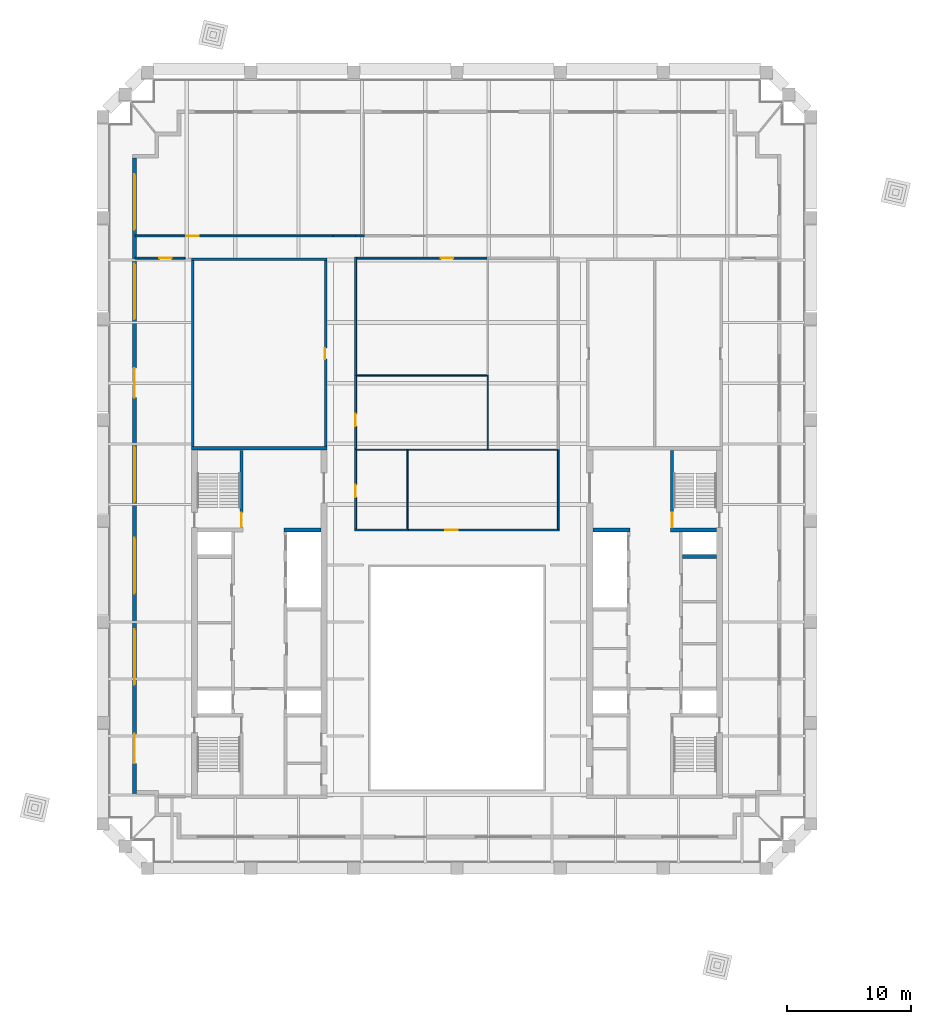
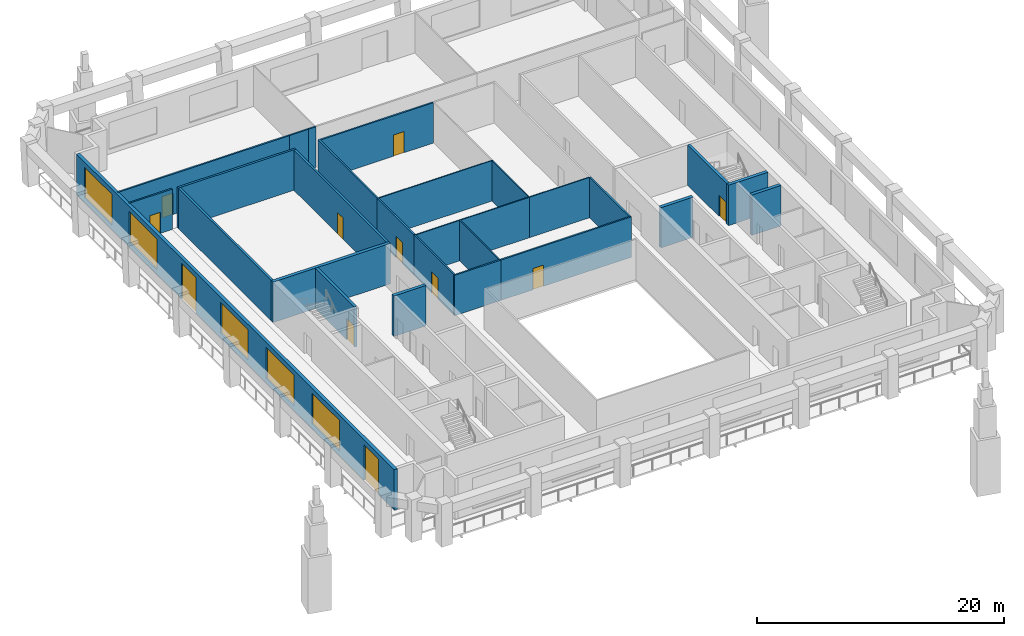
# One storey, part 5 of 8: 28 walls, 11 doors, 5 windows, 16 openings.
"""IFC4 building model written with IfcOpenShell, lengths in metres."""

from ifc_helpers import new_model, si_unit, direction, frame, frame_2d, origin, place, context, subcontext, project, spatial, rectangle, extrude, material, layer, layer_set, type_object, element, fill, save


model = new_model("IFC4")

# Units and contexts
model_context = context("Model", 3, precision=1e-05, world=origin(), true_north=direction((0.0, 1.0)))
body_context = subcontext(model_context, "Body", "Model", "MODEL_VIEW")
ifc_project = project(units=[si_unit("LENGTHUNIT", "METRE"), si_unit("AREAUNIT", "SQUARE_METRE"), si_unit("VOLUMEUNIT", "CUBIC_METRE"), si_unit("PLANEANGLEUNIT", "RADIAN"), si_unit("MASSUNIT", "GRAM", prefix="KILO")], contexts=[model_context])

# Site, building, storey
site_placement = place(None, origin())
site = spatial("IfcSite", under=ifc_project, at=site_placement, CompositionType="ELEMENT")
building_placement = place(site_placement, origin())
building = spatial("IfcBuilding", under=site, at=building_placement, Name="Ogive Exchange Tower", CompositionType="ELEMENT")
storey_placement = place(building_placement, frame((0.0, 0.0, 309.0)))
storey = spatial("IfcBuildingStorey", under=building, at=storey_placement, Name="L67", CompositionType="ELEMENT", Elevation=309.0)

# Wall, opening, door
ifc_material_1 = material(Name="Fire partition EI 60 150")
ifc_layer_1 = layer(ifc_material_1, 0.14990234375)
ifc_layer_set_1 = layer_set([ifc_layer_1], Name="Fire partition EI 60 150")
wall_type_1 = type_object("IfcWallType", Name="Fire partition EI 60 150", PredefinedType="PARTITIONING", material=ifc_layer_set_1)
wall_1_placement = place(storey_placement, frame((-26.050048828125, 42.800048828125, 0.0), z_axis=(0.0, 0.0, 1.0), x_axis=(1.0, 0.0, 0.0)))
wall_1 = element("IfcWall", 1, at=wall_1_placement, inside=storey, type_object=wall_type_1, Name="L67-PWL-001", PredefinedType="PARTITIONING", context=body_context, shape_type="SweptSolid", body=[
    extrude(rectangle(XDim=16.050048828125, YDim=0.14990234375, at=frame_2d((8.02490234375, 0.0))), origin(), (0.0, 0.0, 1.0), 4.0),
])
opening_1_placement = place(wall_1_placement, frame((4.14990234375, 0.0, 0.0)))
opening_1 = element("IfcOpeningElement", 2, at=opening_1_placement, cuts=wall_1, Name="Opening L67-I04", PredefinedType="OPENING", context=body_context, shape_type="SweptSolid", body=[
    extrude(rectangle(XDim=1.0, YDim=2.10009765625, at=frame_2d((0.5, 1.050048828125))), frame((0.0, 0.0849609375, 0.0), z_axis=(0.0, -1.0, 0.0), x_axis=(1.0, 0.0, 0.0)), (0.0, 0.0, 1.0), 0.169921875),
])
ifc_material_2 = material(Name="Fire door FD 30S 1000 x 2100")
door_type_1 = type_object("IfcDoorType", Name="Fire door FD 30S 1000 x 2100", OperationType="NOTDEFINED", PredefinedType="DOOR", material=ifc_material_2)
door_1_placement = place(opening_1_placement, origin())
door_1 = element("IfcDoor", 3, at=door_1_placement, inside=storey, type_object=door_type_1, Name="L67-IDR-004", ObjectType="DT3", OperationType="SINGLE_SWING_LEFT", OverallHeight=2.10009765625, OverallWidth=1.0, PredefinedType="DOOR", context=body_context, shape_type="SweptSolid", body=[
    extrude(rectangle(XDim=1.0, YDim=2.10009765625, at=frame_2d((0.5, 1.050048828125))), frame((0.0, 0.02490234375, 0.0), z_axis=(0.0, -1.0, 0.0), x_axis=(1.0, 0.0, 0.0)), (0.0, 0.0, 1.0), 0.050048828125),
])
fill(opening_1, door_1)

wall_2_placement = place(storey_placement, frame((-22.0, 41.0, 0.0), z_axis=(0.0, 0.0, 1.0), x_axis=(-1.0, 0.0, 0.0)))
wall_2 = element("IfcWall", 4, at=wall_2_placement, inside=storey, type_object=wall_type_1, Name="L67-PWL-003", PredefinedType="PARTITIONING", context=body_context, shape_type="SweptSolid", body=[
    extrude(rectangle(XDim=4.050048828125, YDim=0.14990234375, at=frame_2d((2.02490234375, 0.0))), origin(), (0.0, 0.0, 1.0), 4.0),
])
opening_2_placement = place(wall_2_placement, frame((1.10009765625, 0.0, 0.0)))
opening_2 = element("IfcOpeningElement", 5, at=opening_2_placement, cuts=wall_2, Name="Opening L67-I10", PredefinedType="OPENING", context=body_context, shape_type="SweptSolid", body=[
    extrude(rectangle(XDim=1.0, YDim=2.10009765625, at=frame_2d((0.5, 1.050048828125))), frame((0.0, 0.0849609375, 0.0), z_axis=(0.0, -1.0, 0.0), x_axis=(1.0, 0.0, 0.0)), (0.0, 0.0, 1.0), 0.169921875),
])
door_2_placement = place(opening_2_placement, origin())
door_2 = element("IfcDoor", 6, at=door_2_placement, inside=storey, type_object=door_type_1, Name="L67-IDR-010", ObjectType="DT3", OperationType="SINGLE_SWING_RIGHT", OverallHeight=2.10009765625, OverallWidth=1.0, PredefinedType="DOOR", context=body_context, shape_type="SweptSolid", body=[
    extrude(rectangle(XDim=1.0, YDim=2.10009765625, at=frame_2d((0.5, 1.050048828125))), frame((0.0, 0.02490234375, 0.0), z_axis=(0.0, -1.0, 0.0), x_axis=(1.0, 0.0, 0.0)), (0.0, 0.0, 1.0), 0.050048828125),
])
fill(opening_2, door_2)

# Walls
wall_3_placement = place(storey_placement, frame((-10.0, 42.800048828125, 0.0), z_axis=(0.0, 0.0, 1.0), x_axis=(1.0, 0.0, 0.0)))
element("IfcWall", 7, at=wall_3_placement, inside=storey, type_object=wall_type_1, Name="L67-PWL-004", PredefinedType="PARTITIONING", context=body_context, shape_type="SweptSolid", body=[
    extrude(rectangle(XDim=1.800048828125, YDim=0.14990234375, at=frame_2d((0.89990234375, 0.0))), origin(), (0.0, 0.0, 1.0), 4.0),
])
wall_4_placement = place(storey_placement, frame((-8.27490234375, 19.0, 0.0), z_axis=(0.0, 0.0, 1.0), x_axis=(1.0, 0.0, 0.0)))
element("IfcWall", 8, at=wall_4_placement, inside=storey, type_object=wall_type_1, Name="L67-PWL-005", PredefinedType="PARTITIONING", context=body_context, shape_type="SweptSolid", body=[
    extrude(rectangle(XDim=4.324951171875, YDim=0.14990234375, at=frame_2d((2.16259765625, 0.0))), origin(), (0.0, 0.0, 1.0), 4.0),
])

# Wall, opening, door
wall_5_placement = place(storey_placement, frame((-8.199951171875, 25.550048828125, 0.0), z_axis=(0.0, 0.0, 1.0), x_axis=(0.0, -1.0, 0.0)))
wall_5 = element("IfcWall", 9, at=wall_5_placement, inside=storey, type_object=wall_type_1, Name="L67-PWL-006", PredefinedType="PARTITIONING", context=body_context, shape_type="SweptSolid", body=[
    extrude(rectangle(XDim=6.47509765625, YDim=0.14990234375, at=frame_2d((3.237548828125, 0.0))), origin(), (0.0, 0.0, 1.0), 4.0),
])
opening_3_placement = place(wall_5_placement, frame((2.89990234375, 0.0, 0.0)))
opening_3 = element("IfcOpeningElement", 10, at=opening_3_placement, cuts=wall_5, Name="Opening L67-I09", PredefinedType="OPENING", context=body_context, shape_type="SweptSolid", body=[
    extrude(rectangle(XDim=1.0, YDim=2.10009765625, at=frame_2d((0.5, 1.050048828125))), frame((0.0, 0.0849609375, 0.0), z_axis=(0.0, -1.0, 0.0), x_axis=(1.0, 0.0, 0.0)), (0.0, 0.0, 1.0), 0.169921875),
])
door_3_placement = place(opening_3_placement, origin())
door_3 = element("IfcDoor", 11, at=door_3_placement, inside=storey, type_object=door_type_1, Name="L67-IDR-009", ObjectType="DT3", OperationType="SINGLE_SWING_RIGHT", OverallHeight=2.10009765625, OverallWidth=1.0, PredefinedType="DOOR", context=body_context, shape_type="SweptSolid", body=[
    extrude(rectangle(XDim=1.0, YDim=2.10009765625, at=frame_2d((0.5, 1.050048828125))), frame((0.0, 0.02490234375, 0.0), z_axis=(0.0, -1.0, 0.0), x_axis=(1.0, 0.0, 0.0)), (0.0, 0.0, 1.0), 0.050048828125),
])
fill(opening_3, door_3)

wall_6_placement = place(storey_placement, frame((-8.199951171875, 31.5, 0.0), z_axis=(0.0, 0.0, 1.0), x_axis=(0.0, -1.0, 0.0)))
wall_6 = element("IfcWall", 12, at=wall_6_placement, inside=storey, type_object=wall_type_1, Name="L67-PWL-007", PredefinedType="PARTITIONING", context=body_context, shape_type="SweptSolid", body=[
    extrude(rectangle(XDim=5.949951171875, YDim=0.14990234375, at=frame_2d((2.97509765625, 0.0))), origin(), (0.0, 0.0, 1.0), 4.0),
])
opening_4_placement = place(wall_6_placement, frame((3.10009765625, 0.0, 0.0)))
opening_4 = element("IfcOpeningElement", 13, at=opening_4_placement, cuts=wall_6, Name="Opening L67-I06", PredefinedType="OPENING", context=body_context, shape_type="SweptSolid", body=[
    extrude(rectangle(XDim=1.0, YDim=2.10009765625, at=frame_2d((0.5, 1.050048828125))), frame((0.0, 0.0849609375, 0.0), z_axis=(0.0, -1.0, 0.0), x_axis=(1.0, 0.0, 0.0)), (0.0, 0.0, 1.0), 0.169921875),
])
door_4_placement = place(opening_4_placement, origin())
door_4 = element("IfcDoor", 14, at=door_4_placement, inside=storey, type_object=door_type_1, Name="L67-IDR-006", ObjectType="DT3", OperationType="SINGLE_SWING_LEFT", OverallHeight=2.10009765625, OverallWidth=1.0, PredefinedType="DOOR", context=body_context, shape_type="SweptSolid", body=[
    extrude(rectangle(XDim=1.0, YDim=2.10009765625, at=frame_2d((0.5, 1.050048828125))), frame((0.0, 0.02490234375, 0.0), z_axis=(0.0, -1.0, 0.0), x_axis=(1.0, 0.0, 0.0)), (0.0, 0.0, 1.0), 0.050048828125),
])
fill(opening_4, door_4)

# Walls
wall_7_placement = place(storey_placement, frame((-8.199951171875, 41.074951171875, 0.0), z_axis=(0.0, 0.0, 1.0), x_axis=(0.0, -1.0, 0.0)))
element("IfcWall", 15, at=wall_7_placement, inside=storey, type_object=wall_type_1, Name="L67-PWL-009", PredefinedType="PARTITIONING", context=body_context, shape_type="SweptSolid", body=[
    extrude(rectangle(XDim=9.574951171875, YDim=0.14990234375, at=frame_2d((4.78759765625, 0.0))), origin(), (0.0, 0.0, 1.0), 4.0),
])
wall_8_placement = place(storey_placement, frame((-8.199951171875, 42.800048828125, 0.0), z_axis=(0.0, 0.0, 1.0), x_axis=(1.0, 0.0, 0.0)))
element("IfcWall", 16, at=wall_8_placement, inside=storey, type_object=wall_type_1, Name="L67-PWL-010", PredefinedType="PARTITIONING", context=body_context, shape_type="SweptSolid", body=[
    extrude(rectangle(XDim=0.699951171875, YDim=0.14990234375, at=frame_2d((0.35009765625, 0.0))), origin(), (0.0, 0.0, 1.0), 4.0),
])

# Wall, opening, door
wall_9_placement = place(storey_placement, frame((-4.0, 19.0, 0.0), z_axis=(0.0, 0.0, 1.0), x_axis=(1.0, 0.0, 0.0)))
wall_9 = element("IfcWall", 17, at=wall_9_placement, inside=storey, type_object=wall_type_1, Name="L67-PWL-014", PredefinedType="PARTITIONING", context=body_context, shape_type="SweptSolid", body=[
    extrude(rectangle(XDim=12.27490234375, YDim=0.14990234375, at=frame_2d((6.137451171875, 0.0))), origin(), (0.0, 0.0, 1.0), 4.0),
])
opening_5_placement = place(wall_9_placement, frame((3.050048828125, 0.0, 0.0)))
opening_5 = element("IfcOpeningElement", 18, at=opening_5_placement, cuts=wall_9, Name="Opening L67-I08", PredefinedType="OPENING", context=body_context, shape_type="SweptSolid", body=[
    extrude(rectangle(XDim=1.0, YDim=2.10009765625, at=frame_2d((0.5, 1.050048828125))), frame((0.0, 0.0849609375, 0.0), z_axis=(0.0, -1.0, 0.0), x_axis=(1.0, 0.0, 0.0)), (0.0, 0.0, 1.0), 0.169921875),
])
door_5_placement = place(opening_5_placement, origin())
door_5 = element("IfcDoor", 19, at=door_5_placement, inside=storey, type_object=door_type_1, Name="L67-IDR-008", ObjectType="DT3", OperationType="SINGLE_SWING_RIGHT", OverallHeight=2.10009765625, OverallWidth=1.0, PredefinedType="DOOR", context=body_context, shape_type="SweptSolid", body=[
    extrude(rectangle(XDim=1.0, YDim=2.10009765625, at=frame_2d((0.5, 1.050048828125))), frame((0.0, 0.02490234375, 0.0), z_axis=(0.0, -1.0, 0.0), x_axis=(1.0, 0.0, 0.0)), (0.0, 0.0, 1.0), 0.050048828125),
])
fill(opening_5, door_5)

wall_10_placement = place(storey_placement, frame((2.449951171875, 41.0, 0.0), z_axis=(0.0, 0.0, 1.0), x_axis=(-1.0, 0.0, 0.0)))
wall_10 = element("IfcWall", 20, at=wall_10_placement, inside=storey, type_object=wall_type_1, Name="L67-PWL-019", PredefinedType="PARTITIONING", context=body_context, shape_type="SweptSolid", body=[
    extrude(rectangle(XDim=10.574951171875, YDim=0.14990234375, at=frame_2d((5.28759765625, 0.0))), origin(), (0.0, 0.0, 1.0), 4.0),
])
opening_6_placement = place(wall_10_placement, frame((2.75, 0.0, 0.0)))
opening_6 = element("IfcOpeningElement", 21, at=opening_6_placement, cuts=wall_10, Name="Opening L67-I07", PredefinedType="OPENING", context=body_context, shape_type="SweptSolid", body=[
    extrude(rectangle(XDim=1.0, YDim=2.10009765625, at=frame_2d((0.5, 1.050048828125))), frame((0.0, 0.0849609375, 0.0), z_axis=(0.0, -1.0, 0.0), x_axis=(1.0, 0.0, 0.0)), (0.0, 0.0, 1.0), 0.169921875),
])
door_6_placement = place(opening_6_placement, origin())
door_6 = element("IfcDoor", 22, at=door_6_placement, inside=storey, type_object=door_type_1, Name="L67-IDR-007", ObjectType="DT3", OperationType="SINGLE_SWING_RIGHT", OverallHeight=2.10009765625, OverallWidth=1.0, PredefinedType="DOOR", context=body_context, shape_type="SweptSolid", body=[
    extrude(rectangle(XDim=1.0, YDim=2.10009765625, at=frame_2d((0.5, 1.050048828125))), frame((0.0, 0.02490234375, 0.0), z_axis=(0.0, -1.0, 0.0), x_axis=(1.0, 0.0, 0.0)), (0.0, 0.0, 1.0), 0.050048828125),
])
fill(opening_6, door_6)

# Wall
wall_11_placement = place(storey_placement, frame((8.199951171875, 19.074951171875, 0.0), z_axis=(0.0, 0.0, 1.0), x_axis=(0.0, 1.0, 0.0)))
element("IfcWall", 23, at=wall_11_placement, inside=storey, type_object=wall_type_1, Name="L67-PWL-022", PredefinedType="PARTITIONING", context=body_context, shape_type="SweptSolid", body=[
    extrude(rectangle(XDim=6.425048828125, YDim=0.14990234375, at=frame_2d((3.21240234375, 0.0))), origin(), (0.0, 0.0, 1.0), 4.0),
])

# Wall, openings, doors, windows
ifc_material_3 = material(Name="Precast concrete C40/50", Category="concrete")
ifc_layer_2 = layer(ifc_material_3, 0.300048828125)
ifc_layer_set_2 = layer_set([ifc_layer_2], Name="Limestone-faced wall 300")
wall_type_2 = type_object("IfcWallType", Name="Limestone-faced wall 300", PredefinedType="STANDARD", material=ifc_layer_set_2)
wall_12_placement = place(storey_placement, frame((-26.10009765625, 49.10009765625, 0.0), z_axis=(0.0, 0.0, 1.0), x_axis=(0.0, -1.0, 0.0)))
wall_12 = element("IfcWall", 24, at=wall_12_placement, inside=storey, type_object=wall_type_2, Name="External wall W4", PredefinedType="STANDARD", context=body_context, shape_type="SweptSolid", body=[
    extrude(rectangle(XDim=51.5, YDim=0.300048828125, at=frame_2d((25.75, 0.0))), origin(), (0.0, 0.0, 1.0), 4.0),
])
opening_7_placement = place(wall_12_placement, frame((1.300048828125, 0.0, 0.449951171875)))
opening_7 = element("IfcOpeningElement", 25, at=opening_7_placement, cuts=wall_12, Name="Opening W1", PredefinedType="OPENING", context=body_context, shape_type="SweptSolid", body=[
    extrude(rectangle(XDim=4.5, YDim=3.050048828125, at=frame_2d((2.25, 1.52490234375))), frame((0.0, 0.159912109375, 0.0), z_axis=(0.0, -1.0, 0.0), x_axis=(1.0, 0.0, 0.0)), (0.0, 0.0, 1.0), 0.320068359375),
])
opening_8_placement = place(wall_12_placement, frame((8.550048828125, 0.0, 0.449951171875)))
opening_8 = element("IfcOpeningElement", 26, at=opening_8_placement, cuts=wall_12, Name="Opening W1", PredefinedType="OPENING", context=body_context, shape_type="SweptSolid", body=[
    extrude(rectangle(XDim=4.5, YDim=3.050048828125, at=frame_2d((2.25, 1.52490234375))), frame((0.0, 0.159912109375, 0.0), z_axis=(0.0, -1.0, 0.0), x_axis=(1.0, 0.0, 0.0)), (0.0, 0.0, 1.0), 0.320068359375),
])
opening_9_placement = place(wall_12_placement, frame((17.0, 0.0, 0.0)))
opening_9 = element("IfcOpeningElement", 27, at=opening_9_placement, cuts=wall_12, Name="Opening D1", PredefinedType="OPENING", context=body_context, shape_type="SweptSolid", body=[
    extrude(rectangle(XDim=2.39990234375, YDim=3.5, at=frame_2d((1.199951171875, 1.75))), frame((0.0, 0.159912109375, 0.0), z_axis=(0.0, -1.0, 0.0), x_axis=(1.0, 0.0, 0.0)), (0.0, 0.0, 1.0), 0.320068359375),
])
opening_10_placement = place(wall_12_placement, frame((23.35009765625, 0.0, 0.449951171875)))
opening_10 = element("IfcOpeningElement", 28, at=opening_10_placement, cuts=wall_12, Name="Opening W1", PredefinedType="OPENING", context=body_context, shape_type="SweptSolid", body=[
    extrude(rectangle(XDim=4.5, YDim=3.050048828125, at=frame_2d((2.25, 1.52490234375))), frame((0.0, 0.159912109375, 0.0), z_axis=(0.0, -1.0, 0.0), x_axis=(1.0, 0.0, 0.0)), (0.0, 0.0, 1.0), 0.320068359375),
])
opening_11_placement = place(wall_12_placement, frame((30.75, 0.0, 0.449951171875)))
opening_11 = element("IfcOpeningElement", 29, at=opening_11_placement, cuts=wall_12, Name="Opening W1", PredefinedType="OPENING", context=body_context, shape_type="SweptSolid", body=[
    extrude(rectangle(XDim=4.5, YDim=3.050048828125, at=frame_2d((2.25, 1.52490234375))), frame((0.0, 0.159912109375, 0.0), z_axis=(0.0, -1.0, 0.0), x_axis=(1.0, 0.0, 0.0)), (0.0, 0.0, 1.0), 0.320068359375),
])
opening_12_placement = place(wall_12_placement, frame((38.14990234375, 0.0, 0.449951171875)))
opening_12 = element("IfcOpeningElement", 30, at=opening_12_placement, cuts=wall_12, Name="Opening W1", PredefinedType="OPENING", context=body_context, shape_type="SweptSolid", body=[
    extrude(rectangle(XDim=4.5, YDim=3.050048828125, at=frame_2d((2.25, 1.52490234375))), frame((0.0, 0.159912109375, 0.0), z_axis=(0.0, -1.0, 0.0), x_axis=(1.0, 0.0, 0.0)), (0.0, 0.0, 1.0), 0.320068359375),
])
opening_13_placement = place(wall_12_placement, frame((46.60009765625, 0.0, 0.0)))
opening_13 = element("IfcOpeningElement", 31, at=opening_13_placement, cuts=wall_12, Name="Opening D1", PredefinedType="OPENING", context=body_context, shape_type="SweptSolid", body=[
    extrude(rectangle(XDim=2.39990234375, YDim=3.5, at=frame_2d((1.199951171875, 1.75))), frame((0.0, 0.159912109375, 0.0), z_axis=(0.0, -1.0, 0.0), x_axis=(1.0, 0.0, 0.0)), (0.0, 0.0, 1.0), 0.320068359375),
])
ifc_material_4 = material(Name="Clear glass in bronze frame", Category="glass")
door_type_2 = type_object("IfcDoorType", Name="Sliding loggia door 2400 x 3500", OperationType="DOUBLE_DOOR_SLIDING", PredefinedType="DOOR", material=ifc_material_4)
door_7_placement = place(opening_9_placement, origin())
door_7 = element("IfcDoor", 32, at=door_7_placement, inside=storey, type_object=door_type_2, Name="Loggia door W02", OperationType="DOUBLE_DOOR_SLIDING", OverallHeight=3.5, OverallWidth=2.39990234375, PredefinedType="DOOR", context=body_context, shape_type="SweptSolid", body=[
    extrude(rectangle(XDim=2.39990234375, YDim=3.5, at=frame_2d((1.199951171875, 1.75))), frame((0.0, 0.02490234375, 0.0), z_axis=(0.0, -1.0, 0.0), x_axis=(1.0, 0.0, 0.0)), (0.0, 0.0, 1.0), 0.050048828125),
])
fill(opening_9, door_7)
door_8_placement = place(opening_13_placement, origin())
door_8 = element("IfcDoor", 33, at=door_8_placement, inside=storey, type_object=door_type_2, Name="Loggia door W06", OperationType="DOUBLE_DOOR_SLIDING", OverallHeight=3.5, OverallWidth=2.39990234375, PredefinedType="DOOR", context=body_context, shape_type="SweptSolid", body=[
    extrude(rectangle(XDim=2.39990234375, YDim=3.5, at=frame_2d((1.199951171875, 1.75))), frame((0.0, 0.02490234375, 0.0), z_axis=(0.0, -1.0, 0.0), x_axis=(1.0, 0.0, 0.0)), (0.0, 0.0, 1.0), 0.050048828125),
])
fill(opening_13, door_8)
window_type = type_object("IfcWindowType", Name="Twin lancet window 4500 x 3050", PartitioningType="DOUBLE_PANEL_VERTICAL", PredefinedType="WINDOW", material=ifc_material_4)
window_1_placement = place(opening_7_placement, origin())
window_1 = element("IfcWindow", 34, at=window_1_placement, inside=storey, type_object=window_type, Name="Window W00", OverallHeight=3.050048828125, OverallWidth=4.5, PartitioningType="DOUBLE_PANEL_VERTICAL", PredefinedType="WINDOW", context=body_context, shape_type="SweptSolid", body=[
    extrude(rectangle(XDim=4.5, YDim=3.050048828125, at=frame_2d((2.25, 1.52490234375))), frame((0.0, 0.030029296875, 0.0), z_axis=(0.0, -1.0, 0.0), x_axis=(1.0, 0.0, 0.0)), (0.0, 0.0, 1.0), 0.06005859375),
])
fill(opening_7, window_1)
window_2_placement = place(opening_8_placement, origin())
window_2 = element("IfcWindow", 35, at=window_2_placement, inside=storey, type_object=window_type, Name="Window W01", OverallHeight=3.050048828125, OverallWidth=4.5, PartitioningType="DOUBLE_PANEL_VERTICAL", PredefinedType="WINDOW", context=body_context, shape_type="SweptSolid", body=[
    extrude(rectangle(XDim=4.5, YDim=3.050048828125, at=frame_2d((2.25, 1.52490234375))), frame((0.0, 0.030029296875, 0.0), z_axis=(0.0, -1.0, 0.0), x_axis=(1.0, 0.0, 0.0)), (0.0, 0.0, 1.0), 0.06005859375),
])
fill(opening_8, window_2)
window_3_placement = place(opening_10_placement, origin())
window_3 = element("IfcWindow", 36, at=window_3_placement, inside=storey, type_object=window_type, Name="Window W03", OverallHeight=3.050048828125, OverallWidth=4.5, PartitioningType="DOUBLE_PANEL_VERTICAL", PredefinedType="WINDOW", context=body_context, shape_type="SweptSolid", body=[
    extrude(rectangle(XDim=4.5, YDim=3.050048828125, at=frame_2d((2.25, 1.52490234375))), frame((0.0, 0.030029296875, 0.0), z_axis=(0.0, -1.0, 0.0), x_axis=(1.0, 0.0, 0.0)), (0.0, 0.0, 1.0), 0.06005859375),
])
fill(opening_10, window_3)
window_4_placement = place(opening_11_placement, origin())
window_4 = element("IfcWindow", 37, at=window_4_placement, inside=storey, type_object=window_type, Name="Window W04", OverallHeight=3.050048828125, OverallWidth=4.5, PartitioningType="DOUBLE_PANEL_VERTICAL", PredefinedType="WINDOW", context=body_context, shape_type="SweptSolid", body=[
    extrude(rectangle(XDim=4.5, YDim=3.050048828125, at=frame_2d((2.25, 1.52490234375))), frame((0.0, 0.030029296875, 0.0), z_axis=(0.0, -1.0, 0.0), x_axis=(1.0, 0.0, 0.0)), (0.0, 0.0, 1.0), 0.06005859375),
])
fill(opening_11, window_4)
window_5_placement = place(opening_12_placement, origin())
window_5 = element("IfcWindow", 38, at=window_5_placement, inside=storey, type_object=window_type, Name="Window W05", OverallHeight=3.050048828125, OverallWidth=4.5, PartitioningType="DOUBLE_PANEL_VERTICAL", PredefinedType="WINDOW", context=body_context, shape_type="SweptSolid", body=[
    extrude(rectangle(XDim=4.5, YDim=3.050048828125, at=frame_2d((2.25, 1.52490234375))), frame((0.0, 0.030029296875, 0.0), z_axis=(0.0, -1.0, 0.0), x_axis=(1.0, 0.0, 0.0)), (0.0, 0.0, 1.0), 0.06005859375),
])
fill(opening_12, window_5)

# Walls
ifc_material_5 = material(Name="Partition 100 gypsum")
ifc_layer_3 = layer(ifc_material_5, 0.10009765625)
ifc_layer_set_3 = layer_set([ifc_layer_3], Name="Partition 100 gypsum")
wall_type_3 = type_object("IfcWallType", Name="Partition 100 gypsum", PredefinedType="PARTITIONING", material=ifc_layer_set_3)
wall_13_placement = place(storey_placement, frame((-8.125, 31.5, 0.0), z_axis=(0.0, 0.0, 1.0), x_axis=(1.0, 0.0, 0.0)))
element("IfcWall", 39, at=wall_13_placement, inside=storey, type_object=wall_type_3, Name="L67-PWL-008", PredefinedType="PARTITIONING", context=body_context, shape_type="SweptSolid", body=[
    extrude(rectangle(XDim=10.675048828125, YDim=0.10009765625, at=frame_2d((5.33740234375, 0.0))), origin(), (0.0, 0.0, 1.0), 4.0),
])
wall_14_placement = place(storey_placement, frame((-4.0, 19.074951171875, 0.0), z_axis=(0.0, 0.0, 1.0), x_axis=(0.0, 1.0, 0.0)))
element("IfcWall", 40, at=wall_14_placement, inside=storey, type_object=wall_type_3, Name="L67-PWL-013", PredefinedType="PARTITIONING", context=body_context, shape_type="SweptSolid", body=[
    extrude(rectangle(XDim=6.47509765625, YDim=0.10009765625, at=frame_2d((3.237548828125, 0.0))), origin(), (0.0, 0.0, 1.0), 4.0),
])
wall_15_placement = place(storey_placement, frame((-4.050048828125, 25.5, 0.0), z_axis=(0.0, 0.0, 1.0), x_axis=(-1.0, 0.0, 0.0)))
element("IfcWall", 41, at=wall_15_placement, inside=storey, type_object=wall_type_3, Name="L67-PWL-015", PredefinedType="PARTITIONING", context=body_context, shape_type="SweptSolid", body=[
    extrude(rectangle(XDim=4.074951171875, YDim=0.10009765625, at=frame_2d((2.03759765625, 0.0))), origin(), (0.0, 0.0, 1.0), 4.0),
])
wall_16_placement = place(storey_placement, frame((2.550048828125, 25.5, 0.0), z_axis=(0.0, 0.0, 1.0), x_axis=(-1.0, 0.0, 0.0)))
element("IfcWall", 42, at=wall_16_placement, inside=storey, type_object=wall_type_3, Name="L67-PWL-016", PredefinedType="PARTITIONING", context=body_context, shape_type="SweptSolid", body=[
    extrude(rectangle(XDim=6.5, YDim=0.10009765625, at=frame_2d((3.25, 0.0))), origin(), (0.0, 0.0, 1.0), 4.0),
])
wall_17_placement = place(storey_placement, frame((2.5, 25.550048828125, 0.0), z_axis=(0.0, 0.0, 1.0), x_axis=(0.0, 1.0, 0.0)))
element("IfcWall", 43, at=wall_17_placement, inside=storey, type_object=wall_type_3, Name="L67-PWL-017", PredefinedType="PARTITIONING", context=body_context, shape_type="SweptSolid", body=[
    extrude(rectangle(XDim=5.89990234375, YDim=0.10009765625, at=frame_2d((2.949951171875, 0.0))), origin(), (0.0, 0.0, 1.0), 4.0),
])
wall_18_placement = place(storey_placement, frame((8.125, 25.5, 0.0), z_axis=(0.0, 0.0, 1.0), x_axis=(-1.0, 0.0, 0.0)))
element("IfcWall", 44, at=wall_18_placement, inside=storey, type_object=wall_type_3, Name="L67-PWL-023", PredefinedType="PARTITIONING", context=body_context, shape_type="SweptSolid", body=[
    extrude(rectangle(XDim=5.625, YDim=0.10009765625, at=frame_2d((2.8125, 0.0))), origin(), (0.0, 0.0, 1.0), 4.0),
])
ifc_material_6 = material(Name="Concrete C70/85", Category="concrete")
ifc_layer_4 = layer(ifc_material_6, 0.199951171875)
ifc_layer_set_4 = layer_set([ifc_layer_4], Name="RC core wall 200 C70/85")
wall_type_4 = type_object("IfcWallType", Name="RC core wall 200 C70/85", PredefinedType="SHEAR", material=ifc_layer_set_4)
wall_19_placement = place(storey_placement, frame((-21.39990234375, 25.75, 0.0), z_axis=(0.0, 0.0, 1.0), x_axis=(0.0, 1.0, 0.0)))
element("IfcWall", 45, at=wall_19_placement, inside=storey, type_object=wall_type_4, Name="W annex N outer wall", PredefinedType="SHEAR", context=body_context, shape_type="SweptSolid", body=[
    extrude(rectangle(XDim=15.050048828125, YDim=0.199951171875, at=frame_2d((7.52490234375, 0.0))), origin(), (0.0, 0.0, 1.0), 4.0),
])

# Wall, opening, door
wall_20_placement = place(storey_placement, frame((-10.60009765625, 25.75, 0.0), z_axis=(0.0, 0.0, 1.0), x_axis=(0.0, 1.0, 0.0)))
wall_20 = element("IfcWall", 46, at=wall_20_placement, inside=storey, type_object=wall_type_4, Name="W annex N inner wall", PredefinedType="SHEAR", context=body_context, shape_type="SweptSolid", body=[
    extrude(rectangle(XDim=15.050048828125, YDim=0.199951171875, at=frame_2d((7.52490234375, 0.0))), origin(), (0.0, 0.0, 1.0), 4.0),
])
opening_14_placement = place(wall_20_placement, frame((7.074951171875, 0.0, 0.0)))
opening_14 = element("IfcOpeningElement", 47, at=opening_14_placement, cuts=wall_20, Name="Opening L67-C17", PredefinedType="OPENING", context=body_context, shape_type="SweptSolid", body=[
    extrude(rectangle(XDim=0.89990234375, YDim=2.10009765625, at=frame_2d((0.449951171875, 1.050048828125))), frame((0.0, 0.10986328125, 0.0), z_axis=(0.0, -1.0, 0.0), x_axis=(1.0, 0.0, 0.0)), (0.0, 0.0, 1.0), 0.219970703125),
])
ifc_material_7 = material(Name="Steel fire door", Category="steel")
door_type_3 = type_object("IfcDoorType", Name="Riser door FD60 900 x 2100", OperationType="NOTDEFINED", PredefinedType="DOOR", material=ifc_material_7)
door_9_placement = place(opening_14_placement, frame((0.89990234375, 0.14990234375, 0.0), z_axis=(0.0, 0.0, 1.0), x_axis=(-1.0, 0.0, 0.0)))
door_9 = element("IfcDoor", 48, at=door_9_placement, inside=storey, type_object=door_type_3, Name="Riser door", ObjectType="CD2", OperationType="SINGLE_SWING_LEFT", OverallHeight=2.10009765625, OverallWidth=0.89990234375, PredefinedType="DOOR", context=body_context, shape_type="SweptSolid", body=[
    extrude(rectangle(XDim=0.89990234375, YDim=2.10009765625, at=frame_2d((0.449951171875, 1.050048828125))), frame((0.0, 0.10009765625, 0.0), z_axis=(0.0, -1.0, 0.0), x_axis=(1.0, 0.0, 0.0)), (0.0, 0.0, 1.0), 0.050048828125),
])
fill(opening_14, door_9)

# Wall
wall_21_placement = place(storey_placement, frame((-21.5, 40.89990234375, 0.0), z_axis=(0.0, 0.0, 1.0), x_axis=(1.0, 0.0, 0.0)))
element("IfcWall", 49, at=wall_21_placement, inside=storey, type_object=wall_type_4, Name="W annex N end wall", PredefinedType="SHEAR", context=body_context, shape_type="SweptSolid", body=[
    extrude(rectangle(XDim=11.0, YDim=0.199951171875, at=frame_2d((5.5, 0.0))), origin(), (0.0, 0.0, 1.0), 4.0),
])

# Wall, opening, door
ifc_layer_5 = layer(ifc_material_6, 0.25)
ifc_layer_set_5 = layer_set([ifc_layer_5], Name="RC core wall 250 C70/85")
wall_type_5 = type_object("IfcWallType", Name="RC core wall 250 C70/85", PredefinedType="SHEAR", material=ifc_layer_set_5)
wall_22_placement = place(storey_placement, frame((-17.425048828125, 19.14990234375, 0.0), z_axis=(0.0, 0.0, 1.0), x_axis=(0.0, 1.0, 0.0)))
wall_22 = element("IfcWall", 50, at=wall_22_placement, inside=storey, type_object=wall_type_5, Name="W stair N front wall", PredefinedType="SHEAR", context=body_context, shape_type="SweptSolid", body=[
    extrude(rectangle(XDim=6.300048828125, YDim=0.25, at=frame_2d((3.14990234375, 0.0))), origin(), (0.0, 0.0, 1.0), 4.0),
])
opening_15_placement = place(wall_22_placement, frame((0.050048828125, 0.0, 0.0)))
opening_15 = element("IfcOpeningElement", 51, at=opening_15_placement, cuts=wall_22, Name="Opening L67-C13", PredefinedType="OPENING", context=body_context, shape_type="SweptSolid", body=[
    extrude(rectangle(XDim=1.199951171875, YDim=2.10009765625, at=frame_2d((0.60009765625, 1.050048828125))), frame((0.0, 0.135009765625, 0.0), z_axis=(0.0, -1.0, 0.0), x_axis=(1.0, 0.0, 0.0)), (0.0, 0.0, 1.0), 0.27001953125),
])
door_type_4 = type_object("IfcDoorType", Name="Stair door FD90 1200 x 2100", OperationType="NOTDEFINED", PredefinedType="DOOR", material=ifc_material_7)
door_10_placement = place(opening_15_placement, origin())
door_10 = element("IfcDoor", 52, at=door_10_placement, inside=storey, type_object=door_type_4, Name="Stair door", ObjectType="CD5", OperationType="SINGLE_SWING_RIGHT", OverallHeight=2.10009765625, OverallWidth=1.199951171875, PredefinedType="DOOR", context=body_context, shape_type="SweptSolid", body=[
    extrude(rectangle(XDim=1.199951171875, YDim=2.10009765625, at=frame_2d((0.60009765625, 1.050048828125))), frame((0.0, 0.02490234375, 0.0), z_axis=(0.0, -1.0, 0.0), x_axis=(1.0, 0.0, 0.0)), (0.0, 0.0, 1.0), 0.050048828125),
])
fill(opening_15, door_10)

wall_23_placement = place(storey_placement, frame((17.425048828125, 19.14990234375, 0.0), z_axis=(0.0, 0.0, 1.0), x_axis=(0.0, 1.0, 0.0)))
wall_23 = element("IfcWall", 53, at=wall_23_placement, inside=storey, type_object=wall_type_5, Name="E stair N front wall", PredefinedType="SHEAR", context=body_context, shape_type="SweptSolid", body=[
    extrude(rectangle(XDim=6.300048828125, YDim=0.25, at=frame_2d((3.14990234375, 0.0))), origin(), (0.0, 0.0, 1.0), 4.0),
])
opening_16_placement = place(wall_23_placement, frame((0.050048828125, 0.0, 0.0)))
opening_16 = element("IfcOpeningElement", 54, at=opening_16_placement, cuts=wall_23, Name="Opening L67-C32", PredefinedType="OPENING", context=body_context, shape_type="SweptSolid", body=[
    extrude(rectangle(XDim=1.199951171875, YDim=2.10009765625, at=frame_2d((0.60009765625, 1.050048828125))), frame((0.0, 0.135009765625, 0.0), z_axis=(0.0, -1.0, 0.0), x_axis=(1.0, 0.0, 0.0)), (0.0, 0.0, 1.0), 0.27001953125),
])
door_11_placement = place(opening_16_placement, frame((1.199951171875, 0.0, 0.0), z_axis=(0.0, 0.0, 1.0), x_axis=(-1.0, 0.0, 0.0)))
door_11 = element("IfcDoor", 55, at=door_11_placement, inside=storey, type_object=door_type_4, Name="Stair door", ObjectType="CD5", OperationType="SINGLE_SWING_LEFT", OverallHeight=2.10009765625, OverallWidth=1.199951171875, PredefinedType="DOOR", context=body_context, shape_type="SweptSolid", body=[
    extrude(rectangle(XDim=1.199951171875, YDim=2.10009765625, at=frame_2d((0.60009765625, 1.050048828125))), frame((0.0, 0.02490234375, 0.0), z_axis=(0.0, -1.0, 0.0), x_axis=(1.0, 0.0, 0.0)), (0.0, 0.0, 1.0), 0.050048828125),
])
fill(opening_16, door_11)

# Walls
ifc_layer_6 = layer(ifc_material_6, 0.300048828125)
ifc_layer_set_6 = layer_set([ifc_layer_6], Name="RC core wall 300 C70/85")
wall_type_6 = type_object("IfcWallType", Name="RC core wall 300 C70/85", PredefinedType="SHEAR", material=ifc_layer_set_6)
wall_24_placement = place(storey_placement, frame((-21.5, 25.60009765625, 0.0), z_axis=(0.0, 0.0, 1.0), x_axis=(1.0, 0.0, 0.0)))
element("IfcWall", 56, at=wall_24_placement, inside=storey, type_object=wall_type_6, Name="W north end wall", PredefinedType="SHEAR", context=body_context, shape_type="SweptSolid", body=[
    extrude(rectangle(XDim=11.0, YDim=0.300048828125, at=frame_2d((5.5, 0.0))), origin(), (0.0, 0.0, 1.0), 4.0),
])
wall_25_placement = place(storey_placement, frame((-14.0, 19.0, 0.0), z_axis=(0.0, 0.0, 1.0), x_axis=(1.0, 0.0, 0.0)))
element("IfcWall", 57, at=wall_25_placement, inside=storey, type_object=wall_type_6, Name="W row B divider 7", PredefinedType="SHEAR", context=body_context, shape_type="SweptSolid", body=[
    extrude(rectangle(XDim=3.0, YDim=0.300048828125, at=frame_2d((1.5, 0.0))), origin(), (0.0, 0.0, 1.0), 4.0),
])
wall_26_placement = place(storey_placement, frame((17.300048828125, 19.0, 0.0), z_axis=(0.0, 0.0, 1.0), x_axis=(1.0, 0.0, 0.0)))
element("IfcWall", 58, at=wall_26_placement, inside=storey, type_object=wall_type_6, Name="E stair N south wall", PredefinedType="SHEAR", context=body_context, shape_type="SweptSolid", body=[
    extrude(rectangle(XDim=3.699951171875, YDim=0.300048828125, at=frame_2d((1.85009765625, 0.0))), origin(), (0.0, 0.0, 1.0), 4.0),
])
wall_27_placement = place(storey_placement, frame((18.25, 16.857177734375, 0.0), z_axis=(0.0, 0.0, 1.0), x_axis=(1.0, 0.0, 0.0)))
element("IfcWall", 59, at=wall_27_placement, inside=storey, type_object=wall_type_6, Name="E row A divider 6", PredefinedType="SHEAR", context=body_context, shape_type="SweptSolid", body=[
    extrude(rectangle(XDim=2.75, YDim=0.300048828125, at=frame_2d((1.375, 0.0))), origin(), (0.0, 0.0, 1.0), 4.0),
])
wall_28_placement = place(storey_placement, frame((11.0, 19.0, 0.0), z_axis=(0.0, 0.0, 1.0), x_axis=(1.0, 0.0, 0.0)))
element("IfcWall", 60, at=wall_28_placement, inside=storey, type_object=wall_type_6, Name="E row B divider 7", PredefinedType="SHEAR", context=body_context, shape_type="SweptSolid", body=[
    extrude(rectangle(XDim=3.0, YDim=0.300048828125, at=frame_2d((1.5, 0.0))), origin(), (0.0, 0.0, 1.0), 4.0),
])

save(model, "model.ifc")
